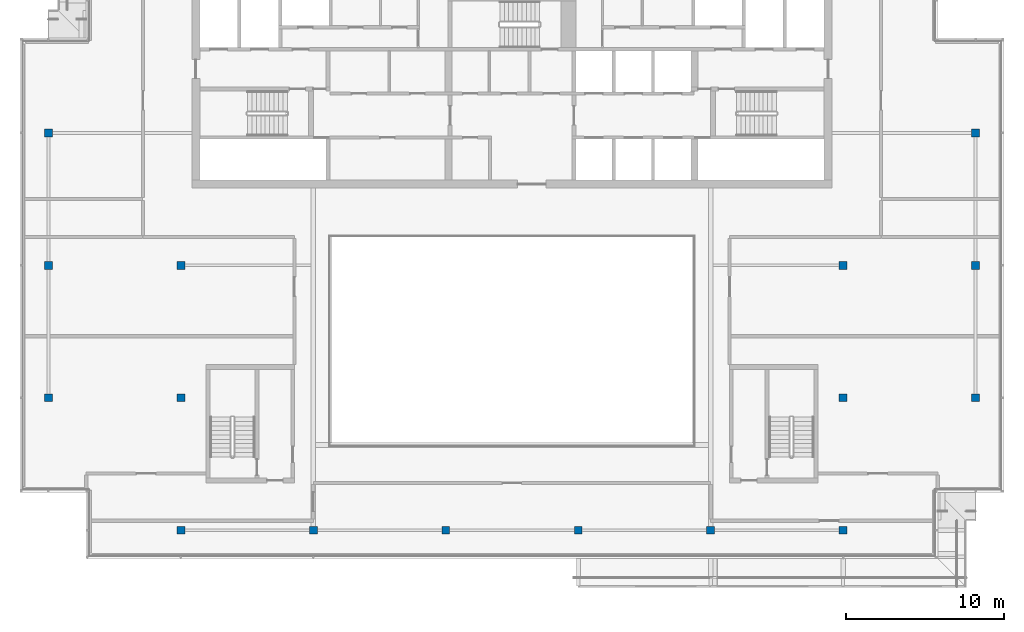
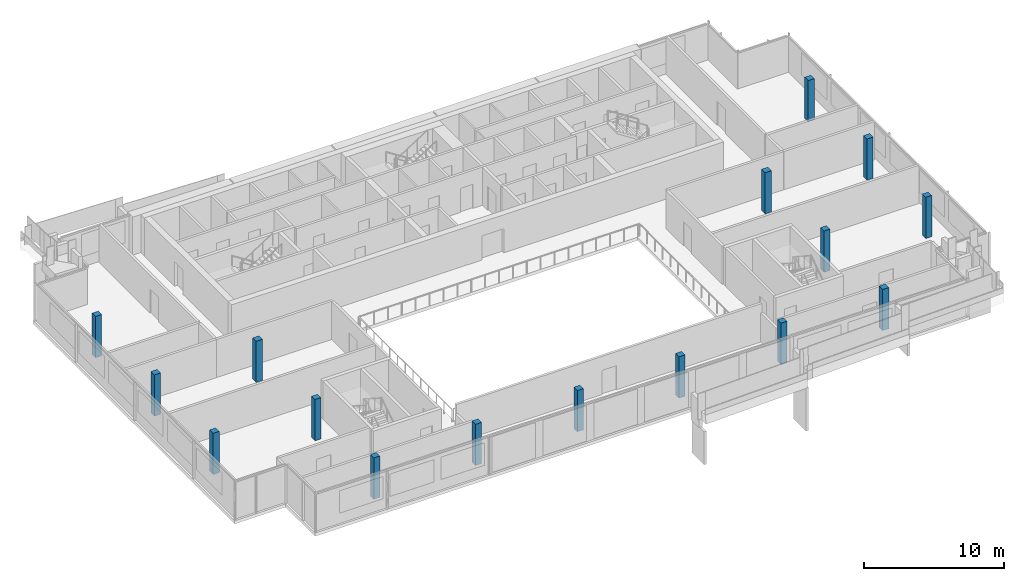
# One storey, part 1 of 21: 16 columns.
"""IFC4 building model written with IfcOpenShell, lengths in metres."""

import ifcopenshell
import ifcopenshell.guid

model = None  # the IFC model being written
_history = None  # IfcOwnerHistory: only IFC2X3 demands one
_inside = {}  # id of a spatial element -> (the spatial element, [elements in it])
_under = {}  # id of a project, library or spatial element -> (it, [spatial elements below it])
_declared = {}  # id of a project -> (the project, [libraries it declares])
_typed = {}  # id of a type object -> (the type object, [elements of that type])
_made_of = {}  # id of a material, layer set ... -> (it, [elements and type objects made of it])


def new_model(schema):
    """Start an empty IFC model of exactly this schema.

    Asked for "IFC4X3", IfcOpenShell would pick the latest addendum, in which some entities
    have other attributes; the version numbers below select the first issue.
    IFC2X3 requires an IfcOwnerHistory on every rooted entity: one is made here for all.
    """
    global model, _history
    if schema == "IFC4X3":
        model = ifcopenshell.file(schema_version=(4, 3, 0, 0))
    else:
        model = ifcopenshell.file(schema=schema)
    _inside.clear()
    _under.clear()
    _declared.clear()
    _typed.clear()
    _made_of.clear()
    _history = None
    if model.schema == "IFC2X3":
        org = make("IfcOrganization", Name="unknown")
        user = make(
            "IfcPersonAndOrganization",
            ThePerson=make("IfcPerson", FamilyName="unknown"),
            TheOrganization=org,
        )
        app = make(
            "IfcApplication",
            ApplicationDeveloper=org,
            Version="unknown",
            ApplicationFullName="unknown",
            ApplicationIdentifier="unknown",
        )
        _history = make(
            "IfcOwnerHistory",
            OwningUser=user,
            OwningApplication=app,
            ChangeAction="ADDED",
            CreationDate=0,
        )
    return model


def make(cls, **values):
    """One entity of the class cls with the attributes given. An attribute that is None is left unset."""
    return model.create_entity(
        cls, **{name: value for name, value in values.items() if value is not None}
    )


def rooted(cls, **values):
    """An entity with a GlobalId (a new one), such as an element, a storey or a relation."""
    return make(cls, GlobalId=ifcopenshell.guid.new(), OwnerHistory=_history, **values)


def si_unit(unit_type, name, prefix=None):
    """IfcSIUnit, for example si_unit("LENGTHUNIT", "METRE", prefix="MILLI")."""
    return make("IfcSIUnit", UnitType=unit_type, Prefix=prefix, Name=name)


def assignment(units):
    """IfcUnitAssignment: the units of a project."""
    return None if units is None else make("IfcUnitAssignment", Units=units)


def point(xyz):
    """IfcCartesianPoint."""
    return None if xyz is None else make("IfcCartesianPoint", Coordinates=xyz)


def direction(xyz):
    """IfcDirection."""
    return None if xyz is None else make("IfcDirection", DirectionRatios=xyz)


def frame(location, z_axis=None, x_axis=None):
    """IfcAxis2Placement3D, a coordinate frame: its origin and axes. An axis left out is left unset."""
    return make(
        "IfcAxis2Placement3D",
        Location=point(location),
        Axis=direction(z_axis),
        RefDirection=direction(x_axis),
    )


def frame_2d(location, x_axis=None):
    """IfcAxis2Placement2D, a coordinate frame in the plane: its origin and x axis."""
    return make(
        "IfcAxis2Placement2D", Location=point(location), RefDirection=direction(x_axis)
    )


def origin():
    """The frame at (0, 0, 0) with its axes left unset."""
    return frame((0.0, 0.0, 0.0))


def origin_2d():
    """The frame at (0, 0) in the plane with its x axis left unset."""
    return frame_2d((0.0, 0.0))


def place(relative_to, where):
    """IfcLocalPlacement: puts the frame where relative to a parent placement (None: the world)."""
    return make(
        "IfcLocalPlacement", PlacementRelTo=relative_to, RelativePlacement=where
    )


def context(
    kind, dimensions, precision=None, world=None, true_north=None, identifier=None
):
    """IfcGeometricRepresentationContext, for example the 3D "Model" context."""
    return make(
        "IfcGeometricRepresentationContext",
        ContextIdentifier=identifier,
        ContextType=kind,
        CoordinateSpaceDimension=dimensions,
        Precision=precision,
        WorldCoordinateSystem=world,
        TrueNorth=true_north,
    )


def subcontext(parent, identifier, kind, view, scale=None):
    """IfcGeometricRepresentationSubContext, for example "Body" below "Model"."""
    return make(
        "IfcGeometricRepresentationSubContext",
        ContextIdentifier=identifier,
        ContextType=kind,
        ParentContext=parent,
        TargetScale=scale,
        TargetView=view,
    )


def project(units=None, contexts=None):
    """IfcProject with its units and contexts."""
    return rooted(
        "IfcProject",
        Name="project",
        RepresentationContexts=contexts,
        UnitsInContext=assignment(units),
    )


def spatial(cls, under=None, at=None, **own):
    """A site, building, storey or space (cls), placed at a placement, below another one or the project."""
    s = rooted(cls, ObjectPlacement=at, **own)
    if under is not None:
        _under.setdefault(under.id(), (under, []))[1].append(s)
    return s


def profile(cls, at=None, kind="AREA", **sizes):
    """A parametric profile (cls). Its sizes go by their IFC names, for example OverallWidth=200.0."""
    return make(cls, ProfileType=kind, Position=at, **sizes)


def rectangle(**sizes):
    """IfcRectangleProfileDef."""
    return profile("IfcRectangleProfileDef", **sizes)


def extrude(swept, where, along, depth):
    """IfcExtrudedAreaSolid: the profile swept, set in the frame where, extruded along a direction by depth."""
    return make(
        "IfcExtrudedAreaSolid",
        SweptArea=swept,
        Position=where,
        ExtrudedDirection=direction(along),
        Depth=depth,
    )


def shape(context_of_items, identifier, shape_type, items):
    """IfcShapeRepresentation: the items that make up one representation, for example the "Body"."""
    return make(
        "IfcShapeRepresentation",
        ContextOfItems=context_of_items,
        RepresentationIdentifier=identifier,
        RepresentationType=shape_type,
        Items=items,
    )


def material(Name=None, Category=None):
    """IfcMaterial."""
    return make("IfcMaterial", Name=Name, Category=Category)


def material_profile(
    of_material, cross_section, Name=None, Category=None, Priority=None
):
    """IfcMaterialProfile: a cross section and its material."""
    return make(
        "IfcMaterialProfile",
        Name=Name,
        Material=of_material,
        Profile=cross_section,
        Priority=Priority,
        Category=Category,
    )


def profile_set(profiles, Name=None, composite=None):
    """IfcMaterialProfileSet."""
    return make(
        "IfcMaterialProfileSet",
        Name=Name,
        MaterialProfiles=profiles,
        CompositeProfile=composite,
    )


def made_of(thing, what):
    """Note that an element or type object is made of a material, layer set ...; save() writes the relation."""
    if what is not None:
        _made_of.setdefault(what.id(), (what, []))[1].append(thing)
    return thing


def type_object(cls, material=None, **own):
    """A type object (cls), such as IfcWallType, which elements share."""
    return made_of(rooted(cls, **own), material)


def element(
    cls,
    number,
    at=None,
    inside=None,
    cuts=None,
    type_object=None,
    material=None,
    context=None,
    identifier="Body",
    shape_type=None,
    held_by="IfcProductDefinitionShape",
    body=None,
    shapes=None,
    **own,
):
    """One element of the class cls, such as IfcWall. Its Tag is "e" and its number.

    at: its placement. inside: the storey or other place that contains it. cuts: it is an
    opening in that element (IfcRelVoidsElement). A single representation is given by context,
    identifier, shape_type and body (its items); several are given by shapes. held_by: the class
    of the entity that holds the representations. save() writes the other relations.
    """
    e = rooted(cls, Tag="e%d" % number, ObjectPlacement=at, **own)
    if body is not None:
        shapes = [shape(context, identifier, shape_type, body)]
    if shapes is not None:
        e.Representation = make(held_by, Representations=shapes)
    if inside is not None:
        _inside.setdefault(inside.id(), (inside, []))[1].append(e)
    if cuts is not None:
        rooted(
            "IfcRelVoidsElement", RelatingBuildingElement=cuts, RelatedOpeningElement=e
        )
    if type_object is not None:
        _typed.setdefault(type_object.id(), (type_object, []))[1].append(e)
    return made_of(e, material)


def aggregate(whole, parts):
    """IfcRelAggregates: a whole, such as a stair, and the parts it consists of."""
    return rooted("IfcRelAggregates", RelatingObject=whole, RelatedObjects=parts)


def save(model, path):
    """Write the relations noted so far, then the file.

    IfcRelAggregates (storeys below a building ...), IfcRelContainedInSpatialStructure (elements
    in a storey), IfcRelDefinesByType, IfcRelAssociatesMaterial and IfcRelDeclares: one each for
    every whole, place, type object, material and project.
    """
    for whole, parts in _under.values():
        aggregate(whole, parts)
    for where, things in _inside.values():
        rooted(
            "IfcRelContainedInSpatialStructure",
            RelatedElements=things,
            RelatingStructure=where,
        )
    for kind, things in _typed.values():
        rooted("IfcRelDefinesByType", RelatedObjects=things, RelatingType=kind)
    for what, things in _made_of.values():
        rooted("IfcRelAssociatesMaterial", RelatedObjects=things, RelatingMaterial=what)
    for by, libraries in _declared.values():
        rooted("IfcRelDeclares", RelatingContext=by, RelatedDefinitions=libraries)
    model.write(path)


model = new_model("IFC4")

# Units and contexts
model_context = context("Model", 3, precision=1e-05, world=origin(), true_north=direction((0.0, 1.0)))
body_context = subcontext(model_context, "Body", "Model", "MODEL_VIEW")
ifc_project = project(units=[si_unit("LENGTHUNIT", "METRE"), si_unit("AREAUNIT", "SQUARE_METRE"), si_unit("VOLUMEUNIT", "CUBIC_METRE"), si_unit("PLANEANGLEUNIT", "RADIAN"), si_unit("MASSUNIT", "GRAM", prefix="KILO")], contexts=[model_context])

# Site, building, storey
site_placement = place(None, origin())
site = spatial("IfcSite", under=ifc_project, at=site_placement, CompositionType="ELEMENT")
building_placement = place(site_placement, origin())
building = spatial("IfcBuilding", under=site, at=building_placement, Name="Saffron Gate Tower", CompositionType="ELEMENT")
storey_placement = place(building_placement, frame((0.0, 0.0, 299.550048828125)))
storey = spatial("IfcBuildingStorey", under=building, at=storey_placement, Name="L73", CompositionType="ELEMENT", Elevation=299.550048828125)

# Columns
ifc_material = material(Name="Concrete C40", Category="concrete")
ifc_material_profile = material_profile(ifc_material, rectangle(XDim=0.5, YDim=0.5, at=origin_2d()))
ifc_profile_set = profile_set([ifc_material_profile], Name="Concrete C40")
column_type = type_object("IfcColumnType", Name="C1 RC 500x500 CONCRETE C40", PredefinedType="COLUMN", material=ifc_profile_set)
for number, where, z_axis, x_axis, name in (
    (1, (58.199951171875, 48.60009765625, 0.0), (0.0, 0.0, 1.0), (1.0, 0.0, 0.0), "C1 COLUMN X2-C"),
    (2, (58.199951171875, 57.0, 0.0), (0.0, 0.0, 1.0), (1.0, 0.0, 0.0), "C1 COLUMN X2-D"),
    (3, (58.199951171875, 65.39990234375, 0.0), (0.0, 0.0, 1.0), (1.0, 0.0, 0.0), "C1 COLUMN X2-E"),
    (4, (66.60009765625, 40.199951171875, 0.0), (0.0, 0.0, 1.0), (1.0, 0.0, 0.0), "C1 COLUMN X3-B"),
    (5, (66.60009765625, 48.60009765625, 0.0), (0.0, 0.0, 1.0), (1.0, 0.0, 0.0), "C1 COLUMN X3-C"),
    (6, (66.60009765625, 57.0, 0.0), (0.0, 0.0, 1.0), (1.0, 0.0, 0.0), "C1 COLUMN X3-D"),
    (7, (75.0, 40.199951171875, 0.0), (0.0, 0.0, 1.0), (1.0, 0.0, 0.0), "C1 COLUMN X4-B"),
    (8, (83.39990234375, 40.199951171875, 0.0), (0.0, 0.0, 1.0), (1.0, 0.0, 0.0), "C1 COLUMN X5-B"),
    (9, (91.800048828125, 40.199951171875, 0.0), (0.0, 0.0, 1.0), (1.0, 0.0, 0.0), "C1 COLUMN X6-B"),
    (10, (100.199951171875, 40.199951171875, 0.0), (0.0, 0.0, 1.0), (1.0, 0.0, 0.0), "C1 COLUMN X7-B"),
    (11, (108.60009765625, 40.199951171875, 0.0), (0.0, 0.0, 1.0), (1.0, 0.0, 0.0), "C1 COLUMN X8-B"),
    (12, (108.60009765625, 48.60009765625, 0.0), (0.0, 0.0, 1.0), (1.0, 0.0, 0.0), "C1 COLUMN X8-C"),
    (13, (108.60009765625, 57.0, 0.0), (0.0, 0.0, 1.0), (1.0, 0.0, 0.0), "C1 COLUMN X8-D"),
    (14, (117.0, 48.60009765625, 0.0), (0.0, 0.0, 1.0), (1.0, 0.0, 0.0), "C1 COLUMN X9-C"),
    (15, (117.0, 57.0, 0.0), (0.0, 0.0, 1.0), (1.0, 0.0, 0.0), "C1 COLUMN X9-D"),
    (16, (117.0, 65.39990234375, 0.0), (0.0, 0.0, 1.0), (1.0, 0.0, 0.0), "C1 COLUMN X9-E"),
):
    element("IfcColumn", number, at=place(storey_placement, frame(where, z_axis=z_axis, x_axis=x_axis)), inside=storey, type_object=column_type, Name=name, PredefinedType="COLUMN", context=body_context, shape_type="SweptSolid", body=[
        extrude(rectangle(XDim=0.5, YDim=0.5, at=origin_2d()), origin(), (0.0, 0.0, 1.0), 3.599853515625),
    ])

save(model, "model.ifc")
